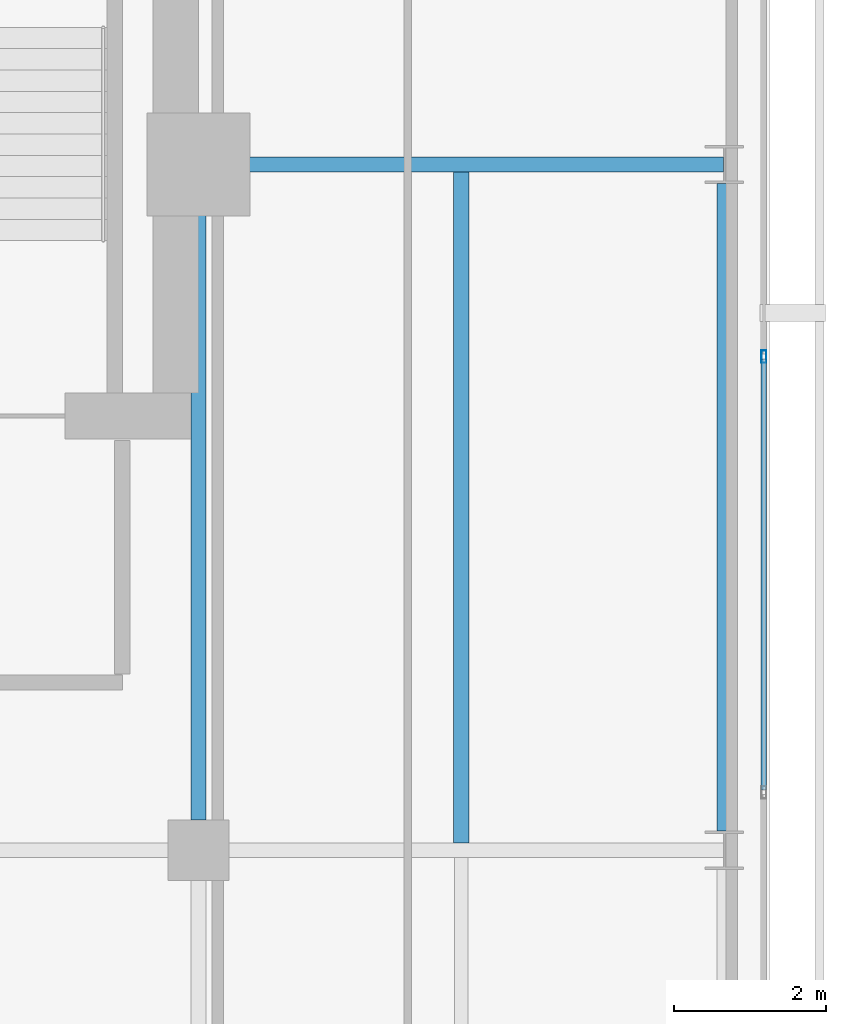
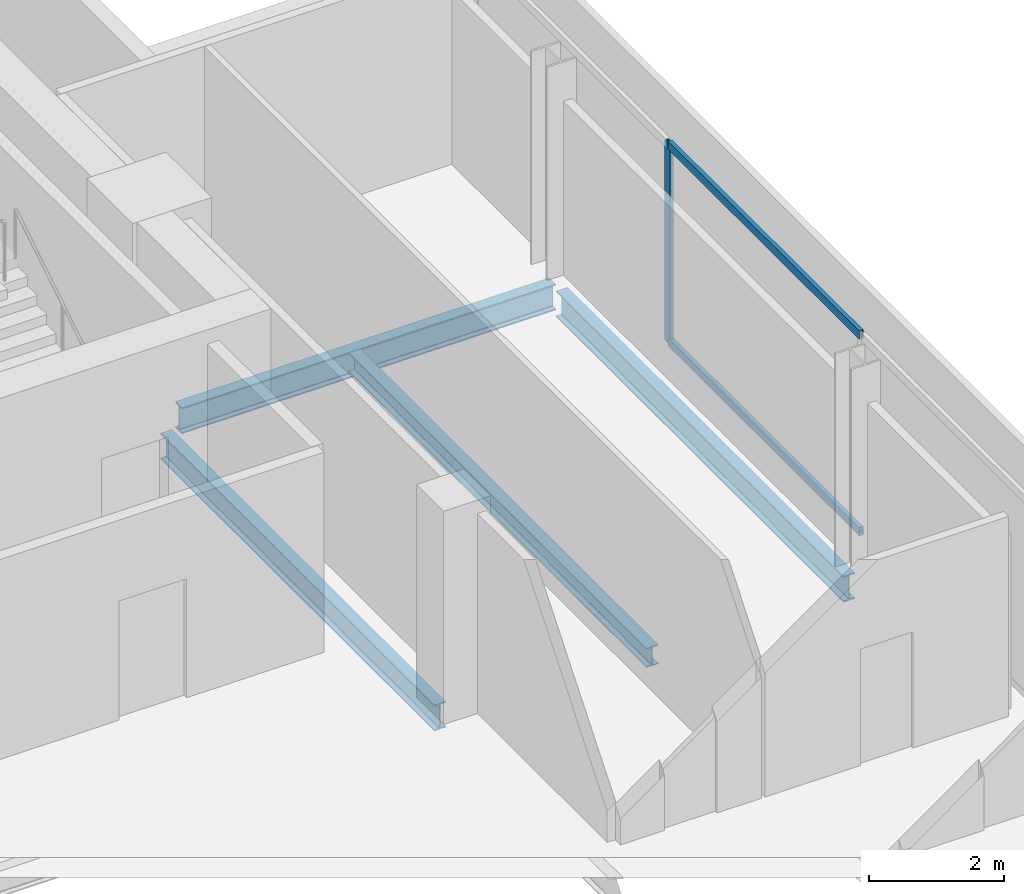
# One storey, part 13 of 23: 4 beams, 3 members, 1 element without a shape of its own.
"""IFC4 building model written with IfcOpenShell, lengths in metres."""

from ifc_helpers import new_model, si_unit, direction, frame, origin, origin_2d, place, context, subcontext, project, spatial, hollow_rectangle, i_section, extrude, material, layer, layer_set, material_profile, profile_set, type_object, element, aggregate, save


model = new_model("IFC4")

# Units and contexts
model_context = context("Model", 3, precision=1e-05, world=origin(), true_north=direction((0.0, 1.0)))
body_context = subcontext(model_context, "Body", "Model", "MODEL_VIEW")
ifc_project = project(units=[si_unit("LENGTHUNIT", "METRE"), si_unit("AREAUNIT", "SQUARE_METRE"), si_unit("VOLUMEUNIT", "CUBIC_METRE"), si_unit("PLANEANGLEUNIT", "RADIAN"), si_unit("MASSUNIT", "GRAM", prefix="KILO")], contexts=[model_context])

# Site, building, storey
site_placement = place(None, origin())
site = spatial("IfcSite", under=ifc_project, at=site_placement, CompositionType="ELEMENT")
building_placement = place(site_placement, origin())
building = spatial("IfcBuilding", under=site, at=building_placement, Name="Maruvema Waterfront Hotel and Observation Tower", CompositionType="ELEMENT")
storey_placement = place(building_placement, frame((0.0, 0.0, 341.25)))
storey = spatial("IfcBuildingStorey", under=building, at=storey_placement, Name="L84", CompositionType="ELEMENT", Elevation=341.25)

# Curtain wall, members
ifc_material_1 = material(Name="Anodised bronze aluminium and solar-control low-E IGU", Category="aluminium")
ifc_layer = layer(ifc_material_1, 0.159912109375, Name="Zone 4 Sky Residence Inner Curtain Wall System CW-05")
ifc_layer_set = layer_set([ifc_layer], Name="Anodised bronze aluminium and solar-control low-E IGU")
curtain_wall_type = type_object("IfcCurtainWallType", Name="Zone 4 Sky Residence Inner Curtain Wall System CW-05", PredefinedType="USERDEFINED", material=ifc_layer_set)
curtain_wall_placement = place(storey_placement, origin())
curtain_wall = element("IfcCurtainWall", 1, at=curtain_wall_placement, inside=storey, type_object=curtain_wall_type, Name="L84 Curtain Wall CW-L84-E", ObjectType="UNITISED CURTAIN WALL", PredefinedType="USERDEFINED")
ifc_material_2 = material(Name="Anodised architectural bronze aluminium", Category="aluminium")
ifc_material_profile_1 = material_profile(ifc_material_2, hollow_rectangle(XDim=0.070068359375, YDim=0.14990234375, WallThickness=0.00390625, at=origin_2d()), Name="ALU-T70x150")
ifc_profile_set_1 = profile_set([ifc_material_profile_1], Name="Anodised architectural bronze aluminium")
member_type_1 = type_object("IfcMemberType", Name="Curtain Wall Horizontal Transom ALU-T70x150", PredefinedType="USERDEFINED", material=ifc_profile_set_1)
member_1_placement = place(storey_placement, frame((57.820068359375, 36.7900390625, 0.030029296875), z_axis=(0.0, 1.0, 0.0), x_axis=(-1.0, 0.0, 0.0)))
member_1 = element("IfcMember", 2, at=member_1_placement, type_object=member_type_1, Name="CW-05 transom 4.1", ObjectType="TRANSOM", PredefinedType="USERDEFINED", context=body_context, shape_type="SweptSolid", body=[
    extrude(hollow_rectangle(XDim=0.070068359375, YDim=0.14990234375, WallThickness=0.00390625, at=origin_2d()), origin(), (0.0, 0.0, 1.0), 5.659912109375),
])
member_2_placement = place(storey_placement, frame((57.820068359375, 36.7900390625, 3.580078125), z_axis=(0.0, 1.0, 0.0), x_axis=(-1.0, 0.0, 0.0)))
member_2 = element("IfcMember", 3, at=member_2_placement, type_object=member_type_1, Name="CW-05 transom 4.2", ObjectType="TRANSOM", PredefinedType="USERDEFINED", context=body_context, shape_type="SweptSolid", body=[
    extrude(hollow_rectangle(XDim=0.070068359375, YDim=0.14990234375, WallThickness=0.00390625, at=origin_2d()), origin(), (0.0, 0.0, 1.0), 5.659912109375),
])
ifc_material_3 = material(Name="Anodised architectural bronze aluminium", Category="aluminium")
ifc_material_profile_2 = material_profile(ifc_material_3, hollow_rectangle(XDim=0.06494140625, YDim=0.1650390625, WallThickness=0.00390625, at=origin_2d()), Name="ALU-M65x165")
ifc_profile_set_2 = profile_set([ifc_material_profile_2], Name="Anodised architectural bronze aluminium")
member_type_2 = type_object("IfcMemberType", Name="Curtain Wall Primary Mullion ALU-M65x165", PredefinedType="MULLION", material=ifc_profile_set_2)
member_3_placement = place(storey_placement, frame((57.820068359375, 42.47998046875, 0.0), z_axis=(0.0, 0.0, 1.0), x_axis=(-1.0, 0.0, 0.0)))
member_3 = element("IfcMember", 4, at=member_3_placement, type_object=member_type_2, Name="CW-05 mullion 5", PredefinedType="MULLION", context=body_context, shape_type="SweptSolid", body=[
    extrude(hollow_rectangle(XDim=0.06494140625, YDim=0.1650390625, WallThickness=0.00390625, at=origin_2d()), origin(), (0.0, 0.0, 1.0), 3.610107421875),
])
aggregate(curtain_wall, [member_3, member_1, member_2])

# Beams
ifc_material_4 = material(Name="Steel ASTM A572 Grade 50", Category="steel")
ifc_material_profile_3 = material_profile(ifc_material_4, i_section(OverallWidth=0.194091796875, OverallDepth=0.468994140625, WebThickness=0.0126953125, FlangeThickness=0.0205078125, FilletRadius=0.014892578125, at=origin_2d()), Name="W460x106.0")
ifc_profile_set_3 = profile_set([ifc_material_profile_3], Name="Steel ASTM A572 Grade 50")
beam_type_1 = type_object("IfcBeamType", Name="Primary Floor Girder W460x106.0", PredefinedType="BEAM", material=ifc_profile_set_3)
beam_1_placement = place(storey_placement, frame((50.89990234375, 45.0, -0.474609375), z_axis=(1.0, 0.0, 0.0), x_axis=(0.0, 1.0, 0.0)))
element("IfcBeam", 5, at=beam_1_placement, inside=storey, type_object=beam_type_1, Name="L84 Floor Girder EW-16", PredefinedType="BEAM", context=body_context, shape_type="SweptSolid", body=[
    extrude(i_section(OverallWidth=0.194091796875, OverallDepth=0.468994140625, WebThickness=0.0126953125, FlangeThickness=0.0205078125, FilletRadius=0.014892578125, at=origin_2d()), origin(), (0.0, 0.0, 1.0), 6.38916015625),
])
beam_2_placement = place(storey_placement, frame((50.39990234375, 36.39990234375, -0.474609375), z_axis=(0.0, 1.0, 0.0), x_axis=(-1.0, 0.0, 0.0)))
element("IfcBeam", 6, at=beam_2_placement, inside=storey, type_object=beam_type_1, Name="L84 Floor Girder NS-14", PredefinedType="BEAM", context=body_context, shape_type="SweptSolid", body=[
    extrude(i_section(OverallWidth=0.194091796875, OverallDepth=0.468994140625, WebThickness=0.0126953125, FlangeThickness=0.0205078125, FilletRadius=0.014892578125, at=origin_2d()), origin(), (0.0, 0.0, 1.0), 8.10009765625),
])
beam_3_placement = place(storey_placement, frame((57.300048828125, 36.25, -0.474609375), z_axis=(0.0, 1.0, 0.0), x_axis=(-1.0, 0.0, 0.0)))
element("IfcBeam", 7, at=beam_3_placement, inside=storey, type_object=beam_type_1, Name="L84 Floor Girder NS-16", PredefinedType="BEAM", context=body_context, shape_type="SweptSolid", body=[
    extrude(i_section(OverallWidth=0.194091796875, OverallDepth=0.468994140625, WebThickness=0.0126953125, FlangeThickness=0.0205078125, FilletRadius=0.014892578125, at=origin_2d()), origin(), (0.0, 0.0, 1.0), 8.5),
])
ifc_material_5 = material(Name="Steel ASTM A572 Grade 50", Category="steel")
ifc_material_profile_4 = material_profile(ifc_material_5, i_section(OverallWidth=0.202880859375, OverallDepth=0.346923828125, WebThickness=0.0078125, FlangeThickness=0.013427734375, FilletRadius=0.014892578125, at=origin_2d()), Name="W360x64.0")
ifc_profile_set_4 = profile_set([ifc_material_profile_4], Name="Steel ASTM A572 Grade 50")
beam_type_2 = type_object("IfcBeamType", Name="Secondary Floor Joist W360x64.0", PredefinedType="JOIST", material=ifc_profile_set_4)
beam_4_placement = place(storey_placement, frame((53.85009765625, 36.096923828125, -0.41357421875), z_axis=(0.0, 1.0, 0.0), x_axis=(-1.0, 0.0, 0.0)))
element("IfcBeam", 8, at=beam_4_placement, inside=storey, type_object=beam_type_2, Name="L84 Secondary Floor Joist JS-07", PredefinedType="JOIST", context=body_context, shape_type="SweptSolid", body=[
    extrude(i_section(OverallWidth=0.202880859375, OverallDepth=0.346923828125, WebThickness=0.0078125, FlangeThickness=0.013427734375, FilletRadius=0.014892578125, at=origin_2d()), origin(), (0.0, 0.0, 1.0), 8.80615234375),
])

save(model, "model.ifc")
